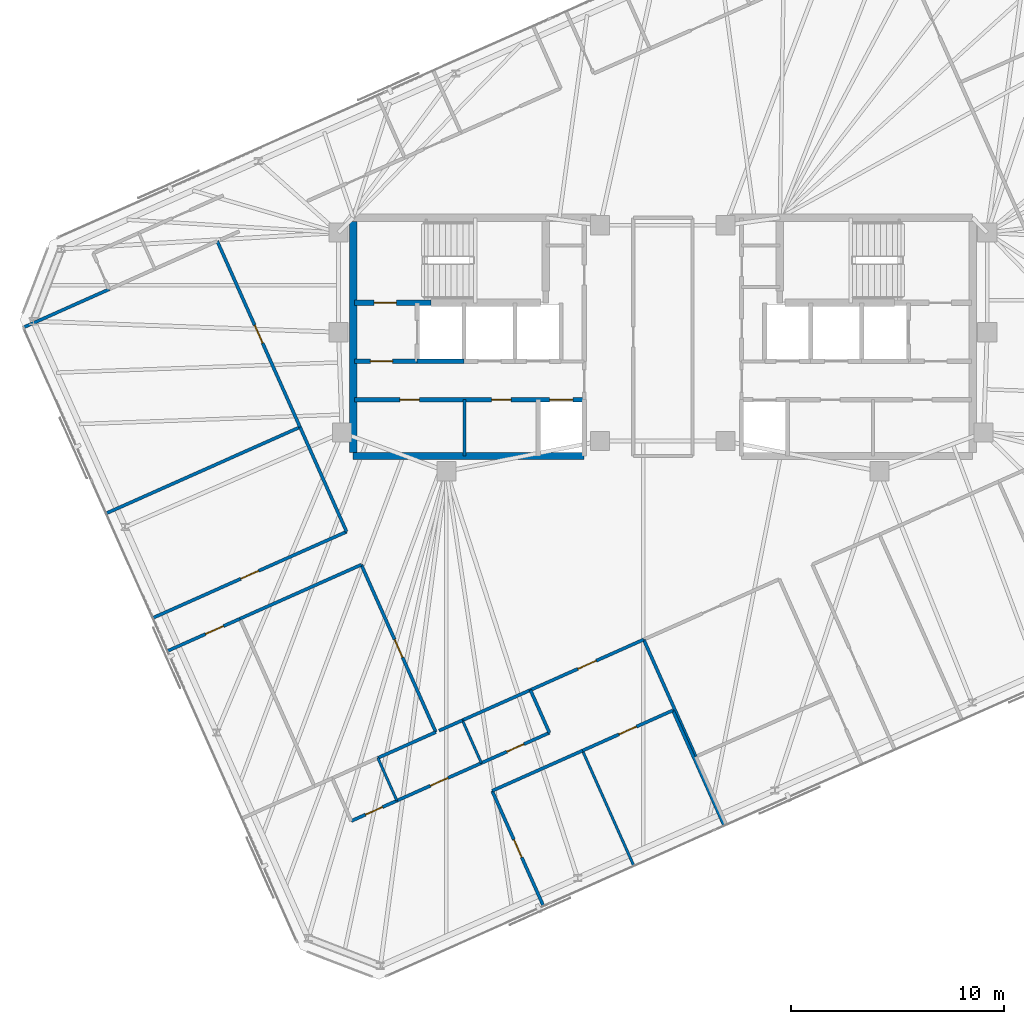
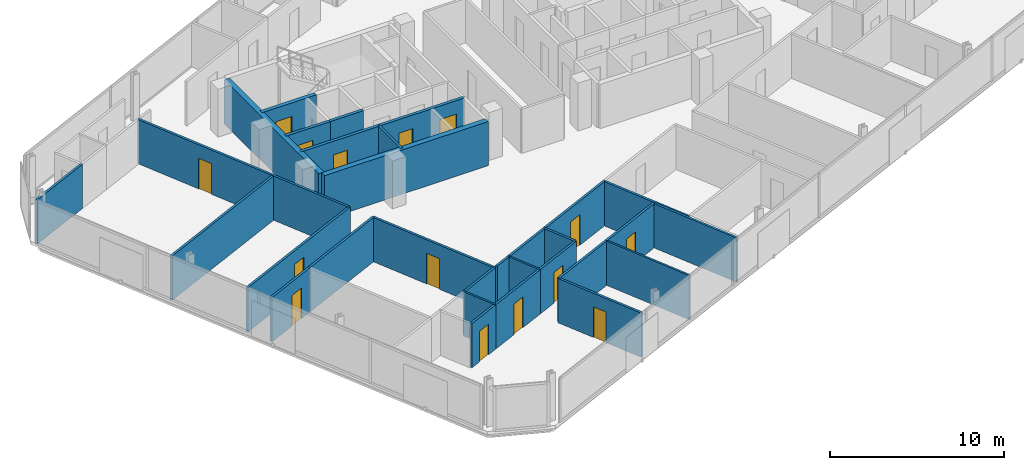
# One storey, part 13 of 18: 31 walls, 15 doors, 15 openings.
"""IFC4 building model written with IfcOpenShell, lengths in metres."""

import ifcopenshell
import ifcopenshell.guid

model = None  # the IFC model being written
_history = None  # IfcOwnerHistory: only IFC2X3 demands one
_inside = {}  # id of a spatial element -> (the spatial element, [elements in it])
_under = {}  # id of a project, library or spatial element -> (it, [spatial elements below it])
_declared = {}  # id of a project -> (the project, [libraries it declares])
_typed = {}  # id of a type object -> (the type object, [elements of that type])
_made_of = {}  # id of a material, layer set ... -> (it, [elements and type objects made of it])


def new_model(schema):
    """Start an empty IFC model of exactly this schema.

    Asked for "IFC4X3", IfcOpenShell would pick the latest addendum, in which some entities
    have other attributes; the version numbers below select the first issue.
    IFC2X3 requires an IfcOwnerHistory on every rooted entity: one is made here for all.
    """
    global model, _history
    if schema == "IFC4X3":
        model = ifcopenshell.file(schema_version=(4, 3, 0, 0))
    else:
        model = ifcopenshell.file(schema=schema)
    _inside.clear()
    _under.clear()
    _declared.clear()
    _typed.clear()
    _made_of.clear()
    _history = None
    if model.schema == "IFC2X3":
        org = make("IfcOrganization", Name="unknown")
        user = make(
            "IfcPersonAndOrganization",
            ThePerson=make("IfcPerson", FamilyName="unknown"),
            TheOrganization=org,
        )
        app = make(
            "IfcApplication",
            ApplicationDeveloper=org,
            Version="unknown",
            ApplicationFullName="unknown",
            ApplicationIdentifier="unknown",
        )
        _history = make(
            "IfcOwnerHistory",
            OwningUser=user,
            OwningApplication=app,
            ChangeAction="ADDED",
            CreationDate=0,
        )
    return model


def make(cls, **values):
    """One entity of the class cls with the attributes given. An attribute that is None is left unset."""
    return model.create_entity(
        cls, **{name: value for name, value in values.items() if value is not None}
    )


def rooted(cls, **values):
    """An entity with a GlobalId (a new one), such as an element, a storey or a relation."""
    return make(cls, GlobalId=ifcopenshell.guid.new(), OwnerHistory=_history, **values)


def si_unit(unit_type, name, prefix=None):
    """IfcSIUnit, for example si_unit("LENGTHUNIT", "METRE", prefix="MILLI")."""
    return make("IfcSIUnit", UnitType=unit_type, Prefix=prefix, Name=name)


def assignment(units):
    """IfcUnitAssignment: the units of a project."""
    return None if units is None else make("IfcUnitAssignment", Units=units)


def point(xyz):
    """IfcCartesianPoint."""
    return None if xyz is None else make("IfcCartesianPoint", Coordinates=xyz)


def direction(xyz):
    """IfcDirection."""
    return None if xyz is None else make("IfcDirection", DirectionRatios=xyz)


def frame(location, z_axis=None, x_axis=None):
    """IfcAxis2Placement3D, a coordinate frame: its origin and axes. An axis left out is left unset."""
    return make(
        "IfcAxis2Placement3D",
        Location=point(location),
        Axis=direction(z_axis),
        RefDirection=direction(x_axis),
    )


def frame_2d(location, x_axis=None):
    """IfcAxis2Placement2D, a coordinate frame in the plane: its origin and x axis."""
    return make(
        "IfcAxis2Placement2D", Location=point(location), RefDirection=direction(x_axis)
    )


def origin():
    """The frame at (0, 0, 0) with its axes left unset."""
    return frame((0.0, 0.0, 0.0))


def place(relative_to, where):
    """IfcLocalPlacement: puts the frame where relative to a parent placement (None: the world)."""
    return make(
        "IfcLocalPlacement", PlacementRelTo=relative_to, RelativePlacement=where
    )


def context(
    kind, dimensions, precision=None, world=None, true_north=None, identifier=None
):
    """IfcGeometricRepresentationContext, for example the 3D "Model" context."""
    return make(
        "IfcGeometricRepresentationContext",
        ContextIdentifier=identifier,
        ContextType=kind,
        CoordinateSpaceDimension=dimensions,
        Precision=precision,
        WorldCoordinateSystem=world,
        TrueNorth=true_north,
    )


def subcontext(parent, identifier, kind, view, scale=None):
    """IfcGeometricRepresentationSubContext, for example "Body" below "Model"."""
    return make(
        "IfcGeometricRepresentationSubContext",
        ContextIdentifier=identifier,
        ContextType=kind,
        ParentContext=parent,
        TargetScale=scale,
        TargetView=view,
    )


def project(units=None, contexts=None):
    """IfcProject with its units and contexts."""
    return rooted(
        "IfcProject",
        Name="project",
        RepresentationContexts=contexts,
        UnitsInContext=assignment(units),
    )


def spatial(cls, under=None, at=None, **own):
    """A site, building, storey or space (cls), placed at a placement, below another one or the project."""
    s = rooted(cls, ObjectPlacement=at, **own)
    if under is not None:
        _under.setdefault(under.id(), (under, []))[1].append(s)
    return s


def profile(cls, at=None, kind="AREA", **sizes):
    """A parametric profile (cls). Its sizes go by their IFC names, for example OverallWidth=200.0."""
    return make(cls, ProfileType=kind, Position=at, **sizes)


def rectangle(**sizes):
    """IfcRectangleProfileDef."""
    return profile("IfcRectangleProfileDef", **sizes)


def extrude(swept, where, along, depth):
    """IfcExtrudedAreaSolid: the profile swept, set in the frame where, extruded along a direction by depth."""
    return make(
        "IfcExtrudedAreaSolid",
        SweptArea=swept,
        Position=where,
        ExtrudedDirection=direction(along),
        Depth=depth,
    )


def shape(context_of_items, identifier, shape_type, items):
    """IfcShapeRepresentation: the items that make up one representation, for example the "Body"."""
    return make(
        "IfcShapeRepresentation",
        ContextOfItems=context_of_items,
        RepresentationIdentifier=identifier,
        RepresentationType=shape_type,
        Items=items,
    )


def material(Name=None, Category=None):
    """IfcMaterial."""
    return make("IfcMaterial", Name=Name, Category=Category)


def layer(
    of_material, thickness, ventilated=None, Name=None, Category=None, Priority=None
):
    """IfcMaterialLayer: one layer of a wall or slab, of a material (None: an air gap)."""
    return make(
        "IfcMaterialLayer",
        Material=of_material,
        LayerThickness=thickness,
        IsVentilated=ventilated,
        Name=Name,
        Category=Category,
        Priority=Priority,
    )


def layer_set(layers, Name=None):
    """IfcMaterialLayerSet."""
    return make("IfcMaterialLayerSet", MaterialLayers=layers, LayerSetName=Name)


def made_of(thing, what):
    """Note that an element or type object is made of a material, layer set ...; save() writes the relation."""
    if what is not None:
        _made_of.setdefault(what.id(), (what, []))[1].append(thing)
    return thing


def type_object(cls, material=None, **own):
    """A type object (cls), such as IfcWallType, which elements share."""
    return made_of(rooted(cls, **own), material)


def element(
    cls,
    number,
    at=None,
    inside=None,
    cuts=None,
    type_object=None,
    material=None,
    context=None,
    identifier="Body",
    shape_type=None,
    held_by="IfcProductDefinitionShape",
    body=None,
    shapes=None,
    **own,
):
    """One element of the class cls, such as IfcWall. Its Tag is "e" and its number.

    at: its placement. inside: the storey or other place that contains it. cuts: it is an
    opening in that element (IfcRelVoidsElement). A single representation is given by context,
    identifier, shape_type and body (its items); several are given by shapes. held_by: the class
    of the entity that holds the representations. save() writes the other relations.
    """
    e = rooted(cls, Tag="e%d" % number, ObjectPlacement=at, **own)
    if body is not None:
        shapes = [shape(context, identifier, shape_type, body)]
    if shapes is not None:
        e.Representation = make(held_by, Representations=shapes)
    if inside is not None:
        _inside.setdefault(inside.id(), (inside, []))[1].append(e)
    if cuts is not None:
        rooted(
            "IfcRelVoidsElement", RelatingBuildingElement=cuts, RelatedOpeningElement=e
        )
    if type_object is not None:
        _typed.setdefault(type_object.id(), (type_object, []))[1].append(e)
    return made_of(e, material)


def fill(opening, filler):
    """IfcRelFillsElement: the door or window that sits in an opening."""
    return rooted(
        "IfcRelFillsElement",
        RelatingOpeningElement=opening,
        RelatedBuildingElement=filler,
    )


def aggregate(whole, parts):
    """IfcRelAggregates: a whole, such as a stair, and the parts it consists of."""
    return rooted("IfcRelAggregates", RelatingObject=whole, RelatedObjects=parts)


def save(model, path):
    """Write the relations noted so far, then the file.

    IfcRelAggregates (storeys below a building ...), IfcRelContainedInSpatialStructure (elements
    in a storey), IfcRelDefinesByType, IfcRelAssociatesMaterial and IfcRelDeclares: one each for
    every whole, place, type object, material and project.
    """
    for whole, parts in _under.values():
        aggregate(whole, parts)
    for where, things in _inside.values():
        rooted(
            "IfcRelContainedInSpatialStructure",
            RelatedElements=things,
            RelatingStructure=where,
        )
    for kind, things in _typed.values():
        rooted("IfcRelDefinesByType", RelatedObjects=things, RelatingType=kind)
    for what, things in _made_of.values():
        rooted("IfcRelAssociatesMaterial", RelatedObjects=things, RelatingMaterial=what)
    for by, libraries in _declared.values():
        rooted("IfcRelDeclares", RelatingContext=by, RelatedDefinitions=libraries)
    model.write(path)


model = new_model("IFC4")

# Units and contexts
model_context = context("Model", 3, precision=1e-05, world=origin(), true_north=direction((0.0, 1.0)))
body_context = subcontext(model_context, "Body", "Model", "MODEL_VIEW")
ifc_project = project(units=[si_unit("LENGTHUNIT", "METRE"), si_unit("AREAUNIT", "SQUARE_METRE"), si_unit("VOLUMEUNIT", "CUBIC_METRE"), si_unit("PLANEANGLEUNIT", "RADIAN"), si_unit("MASSUNIT", "GRAM", prefix="KILO")], contexts=[model_context])

# Site, building, storey
site_placement = place(None, origin())
site = spatial("IfcSite", under=ifc_project, at=site_placement, CompositionType="ELEMENT")
building_placement = place(site_placement, origin())
building = spatial("IfcBuilding", under=site, at=building_placement, Name="Menara Jurai Vektor", CompositionType="ELEMENT")
storey_placement = place(building_placement, frame((0.0, 0.0, 272.25)))
storey = spatial("IfcBuildingStorey", under=building, at=storey_placement, Name="L73", CompositionType="ELEMENT", Elevation=272.25)

# Wall, opening, door
ifc_material_1 = material(Name="Concrete C40/50", Category="concrete")
ifc_layer_1 = layer(ifc_material_1, 0.25)
ifc_layer_set_1 = layer_set([ifc_layer_1], Name="Concrete C40/50")
wall_type_1 = type_object("IfcWallType", Name="INT-WALL-CORE-250", PredefinedType="STANDARD", material=ifc_layer_set_1)
wall_1_placement = place(storey_placement, frame((-14.5, 1.60009765625, 0.0), z_axis=(0.0, 0.0, 1.0), x_axis=(1.0, 0.0, 0.0)))
wall_1 = element("IfcWall", 1, at=wall_1_placement, inside=storey, type_object=wall_type_1, Name="Interior Wall IW-250 L73", PredefinedType="STANDARD", context=body_context, shape_type="SweptSolid", body=[
    extrude(rectangle(XDim=3.60009765625, YDim=0.25, at=frame_2d((1.800048828125, 0.0))), origin(), (0.0, 0.0, 1.0), 3.10009765625),
])
opening_1_placement = place(wall_1_placement, frame((0.919921875, 0.0, 0.0)))
opening_1 = element("IfcOpeningElement", 2, at=opening_1_placement, cuts=wall_1, Name="Opening D-L73-ST1", PredefinedType="OPENING", context=body_context, shape_type="SweptSolid", body=[
    extrude(rectangle(XDim=1.050048828125, YDim=2.14990234375, at=frame_2d((0.52490234375, 1.074951171875))), frame((0.0, 0.135009765625, 0.0), z_axis=(0.0, -1.0, 0.0), x_axis=(1.0, 0.0, 0.0)), (0.0, 0.0, 1.0), 0.27001953125),
])
ifc_material_2 = material(Name="Fire-Rated Steel Door", Category="steel")
door_type_1 = type_object("IfcDoorType", Name="DR-STAIR-1050", OperationType="NOTDEFINED", PredefinedType="DOOR", material=ifc_material_2)
door_1_placement = place(opening_1_placement, origin())
door_1 = element("IfcDoor", 3, at=door_1_placement, inside=storey, type_object=door_type_1, Name="Exit Stair ST1 Door L73", OperationType="SINGLE_SWING_RIGHT", OverallHeight=2.14990234375, OverallWidth=1.050048828125, PredefinedType="DOOR", context=body_context, shape_type="SweptSolid", body=[
    extrude(rectangle(XDim=1.050048828125, YDim=2.14990234375, at=frame_2d((0.52490234375, 1.074951171875))), frame((0.0, 0.02490234375, 0.0), z_axis=(0.0, -1.0, 0.0), x_axis=(1.0, 0.0, 0.0)), (0.0, 0.0, 1.0), 0.050048828125),
])
fill(opening_1, door_1)

wall_2_placement = place(storey_placement, frame((-14.5, -1.14990234375, 0.0), z_axis=(0.0, 0.0, 1.0), x_axis=(1.0, 0.0, 0.0)))
wall_2 = element("IfcWall", 4, at=wall_2_placement, inside=storey, type_object=wall_type_1, Name="Interior Wall IW-250 L73", PredefinedType="STANDARD", context=body_context, shape_type="SweptSolid", body=[
    extrude(rectangle(XDim=2.949951171875, YDim=0.199951171875, at=frame_2d((1.47509765625, 0.0))), origin(), (0.0, 0.0, 1.0), 3.10009765625),
])
opening_2_placement = place(wall_2_placement, frame((0.75, 0.0, 0.0)))
opening_2 = element("IfcOpeningElement", 5, at=opening_2_placement, cuts=wall_2, Name="Opening D-L73-FFW", PredefinedType="OPENING", context=body_context, shape_type="SweptSolid", body=[
    extrude(rectangle(XDim=1.050048828125, YDim=2.179931640625, at=frame_2d((0.52490234375, 1.08984375))), frame((0.0, 0.10986328125, 0.0), z_axis=(0.0, -1.0, 0.0), x_axis=(1.0, 0.0, 0.0)), (0.0, 0.0, 1.0), 0.219970703125),
])
ifc_material_3 = material(Name="Fire-Rated Timber Door", Category="wood")
door_type_2 = type_object("IfcDoorType", Name="DR-LOBBY-1050", OperationType="NOTDEFINED", PredefinedType="DOOR", material=ifc_material_3)
door_2_placement = place(opening_2_placement, origin())
door_2 = element("IfcDoor", 6, at=door_2_placement, inside=storey, type_object=door_type_2, Name="Fire Lift Lobby Door W L73", OperationType="SINGLE_SWING_RIGHT", OverallHeight=2.179931640625, OverallWidth=1.050048828125, PredefinedType="DOOR", context=body_context, shape_type="SweptSolid", body=[
    extrude(rectangle(XDim=1.050048828125, YDim=2.179931640625, at=frame_2d((0.52490234375, 1.08984375))), frame((0.0, 0.02490234375, 0.0), z_axis=(0.0, -1.0, 0.0), x_axis=(1.0, 0.0, 0.0)), (0.0, 0.0, 1.0), 0.050048828125),
])
fill(opening_2, door_2)

# Walls
wall_3_placement = place(storey_placement, frame((-11.550048828125, -1.14990234375, 0.0), z_axis=(0.0, 0.0, 1.0), x_axis=(1.0, 0.0, 0.0)))
element("IfcWall", 7, at=wall_3_placement, inside=storey, type_object=wall_type_1, Name="Interior Wall IW-250 L73", PredefinedType="STANDARD", context=body_context, shape_type="SweptSolid", body=[
    extrude(rectangle(XDim=2.199951171875, YDim=0.199951171875, at=frame_2d((1.10009765625, 0.0))), origin(), (0.0, 0.0, 1.0), 3.10009765625),
])
ifc_material_4 = material(Name="Gypsum Fireboard Partition", Category="gypsum")
ifc_layer_2 = layer(ifc_material_4, 0.14990234375)
ifc_layer_set_2 = layer_set([ifc_layer_2], Name="Gypsum Fireboard Partition")
wall_type_2 = type_object("IfcWallType", Name="INT-WALL-CORR-150", PredefinedType="PARTITIONING", material=ifc_layer_set_2)
wall_4_placement = place(storey_placement, frame((-9.320068359375, -5.60009765625, 0.0), z_axis=(0.0, 0.0, 1.0), x_axis=(0.0, 1.0, 0.0)))
element("IfcWall", 8, at=wall_4_placement, inside=storey, type_object=wall_type_2, Name="Interior Wall IW-150 L73", PredefinedType="PARTITIONING", context=body_context, shape_type="SweptSolid", body=[
    extrude(rectangle(XDim=2.650146484375, YDim=0.14990234375, at=frame_2d((1.3251953125, 0.0))), origin(), (0.0, 0.0, 1.0), 3.10009765625),
])

# Wall, opening, door
wall_5_placement = place(storey_placement, frame((-6.228515625, -16.602294921875, 0.0), z_axis=(0.0, 0.0, 1.0), x_axis=(0.913550563391, 0.406725175183, 0.0)))
wall_5 = element("IfcWall", 9, at=wall_5_placement, inside=storey, type_object=wall_type_2, Name="Interior Wall IW-150 L73", PredefinedType="PARTITIONING", context=body_context, shape_type="SweptSolid", body=[
    extrude(rectangle(XDim=5.8291015625, YDim=0.14990234375, at=frame_2d((2.91455078125, 0.0))), origin(), (0.0, 0.0, 1.0), 3.10009765625),
])
opening_3_placement = place(wall_5_placement, frame((2.439453125, 0.0, 0.0)))
opening_3 = element("IfcOpeningElement", 10, at=opening_3_placement, cuts=wall_5, Name="Opening D73-15", PredefinedType="OPENING", context=body_context, shape_type="SweptSolid", body=[
    extrude(rectangle(XDim=0.949951171875, YDim=2.14990234375, at=frame_2d((0.47509765625, 1.074951171875))), frame((0.0, 0.0849609375, 0.0), z_axis=(0.0, -1.0, 0.0), x_axis=(1.0, 0.0, 0.0)), (0.0, 0.0, 1.0), 0.169921875),
])
ifc_material_5 = material(Name="Solid Core Timber Fire Door", Category="wood")
door_type_3 = type_object("IfcDoorType", Name="DR-ENTRY-950", OperationType="NOTDEFINED", PredefinedType="DOOR", material=ifc_material_5)
door_3_placement = place(opening_3_placement, origin())
door_3 = element("IfcDoor", 11, at=door_3_placement, inside=storey, type_object=door_type_3, Name="Interior Door D73-15", OperationType="SINGLE_SWING_RIGHT", OverallHeight=2.14990234375, OverallWidth=0.949951171875, PredefinedType="DOOR", context=body_context, shape_type="SweptSolid", body=[
    extrude(rectangle(XDim=0.949951171875, YDim=2.14990234375, at=frame_2d((0.47509765625, 1.074951171875))), frame((0.0, 0.02490234375, 0.0), z_axis=(0.0, -1.0, 0.0), x_axis=(1.0, 0.0, 0.0)), (0.0, 0.0, 1.0), 0.050048828125),
])
fill(opening_3, door_3)

# Walls
wall_6_placement = place(storey_placement, frame((-10.52294921875, -18.514404296875, 0.0), z_axis=(0.0, 0.0, 1.0), x_axis=(0.913534709899, 0.406760782045, 0.0)))
element("IfcWall", 12, at=wall_6_placement, inside=storey, type_object=wall_type_2, Name="Interior Wall IW-150 L73", PredefinedType="PARTITIONING", context=body_context, shape_type="SweptSolid", body=[
    extrude(rectangle(XDim=1.200927734375, YDim=0.14990234375, at=frame_2d((0.6005859375, 0.0))), origin(), (0.0, 0.0, 1.0), 3.10009765625),
])
wall_7_placement = place(storey_placement, frame((-9.42578125, -18.02587890625, 0.0), z_axis=(0.0, 0.0, 1.0), x_axis=(0.913538066796, 0.406753242783, 0.0)))
element("IfcWall", 13, at=wall_7_placement, inside=storey, type_object=wall_type_2, Name="Interior Wall IW-150 L73", PredefinedType="PARTITIONING", context=body_context, shape_type="SweptSolid", body=[
    extrude(rectangle(XDim=3.499755859375, YDim=0.14990234375, at=frame_2d((1.75, 0.0))), origin(), (0.0, 0.0, 1.0), 3.10009765625),
])

# Wall, opening, door
wall_8_placement = place(storey_placement, frame((-23.290283203125, -14.7685546875, 0.0), z_axis=(0.0, 0.0, 1.0), x_axis=(0.913549333679, 0.406727937244, 0.0)))
wall_8 = element("IfcWall", 14, at=wall_8_placement, inside=storey, type_object=wall_type_2, Name="Interior Wall IW-150 L73", PredefinedType="PARTITIONING", context=body_context, shape_type="SweptSolid", body=[
    extrude(rectangle(XDim=3.72705078125, YDim=0.14990234375, at=frame_2d((1.863525390625, 0.0))), origin(), (0.0, 0.0, 1.0), 3.10009765625),
])
opening_4_placement = place(wall_8_placement, frame((1.962646484375, 0.0, 0.0)))
opening_4 = element("IfcOpeningElement", 15, at=opening_4_placement, cuts=wall_8, Name="Opening D73-26", PredefinedType="OPENING", context=body_context, shape_type="SweptSolid", body=[
    extrude(rectangle(XDim=0.919921875, YDim=2.14990234375, at=frame_2d((0.4599609375, 1.074951171875))), frame((0.0, 0.0849609375, 0.0), z_axis=(0.0, -1.0, 0.0), x_axis=(1.0, 0.0, 0.0)), (0.0, 0.0, 1.0), 0.169921875),
])
door_4_placement = place(opening_4_placement, origin())
door_4 = element("IfcDoor", 16, at=door_4_placement, inside=storey, type_object=door_type_3, Name="Interior Door D73-26", OperationType="SINGLE_SWING_LEFT", OverallHeight=2.14990234375, OverallWidth=0.919921875, PredefinedType="DOOR", context=body_context, shape_type="SweptSolid", body=[
    extrude(rectangle(XDim=0.919921875, YDim=2.14990234375, at=frame_2d((0.4599609375, 1.074951171875))), frame((0.0, 0.02490234375, 0.0), z_axis=(0.0, -1.0, 0.0), x_axis=(1.0, 0.0, 0.0)), (0.0, 0.0, 1.0), 0.050048828125),
])
fill(opening_4, door_4)

# Wall
wall_9_placement = place(storey_placement, frame((-19.885498046875, -13.252685546875, 0.0), z_axis=(0.0, 0.0, 1.0), x_axis=(0.913534137923, 0.406762066631, 0.0)))
element("IfcWall", 17, at=wall_9_placement, inside=storey, type_object=wall_type_2, Name="Interior Wall IW-150 L73", PredefinedType="PARTITIONING", context=body_context, shape_type="SweptSolid", body=[
    extrude(rectangle(XDim=6.246826171875, YDim=0.14990234375, at=frame_2d((3.12353515625, 0.0))), origin(), (0.0, 0.0, 1.0), 3.10009765625),
])

# Wall, opening, door
wall_10_placement = place(storey_placement, frame((-10.674560546875, -18.581787109375, 0.0), z_axis=(0.0, 0.0, 1.0), x_axis=(-0.406751025101, 0.913539054217, 0.0)))
wall_10 = element("IfcWall", 18, at=wall_10_placement, inside=storey, type_object=wall_type_2, Name="Interior Wall IW-150 L73", PredefinedType="PARTITIONING", context=body_context, shape_type="SweptSolid", body=[
    extrude(rectangle(XDim=8.614990234375, YDim=0.14990234375, at=frame_2d((4.3076171875, 0.0))), origin(), (0.0, 0.0, 1.0), 3.10009765625),
])
opening_5_placement = place(wall_10_placement, frame((3.847412109375, 0.0, 0.0)))
opening_5 = element("IfcOpeningElement", 19, at=opening_5_placement, cuts=wall_10, Name="Opening D73-27", PredefinedType="OPENING", context=body_context, shape_type="SweptSolid", body=[
    extrude(rectangle(XDim=0.919921875, YDim=2.14990234375, at=frame_2d((0.4599609375, 1.074951171875))), frame((0.0, 0.0849609375, 0.0), z_axis=(0.0, -1.0, 0.0), x_axis=(1.0, 0.0, 0.0)), (0.0, 0.0, 1.0), 0.169921875),
])
door_5_placement = place(opening_5_placement, origin())
door_5 = element("IfcDoor", 20, at=door_5_placement, inside=storey, type_object=door_type_3, Name="Interior Door D73-27", OperationType="SINGLE_SWING_RIGHT", OverallHeight=2.14990234375, OverallWidth=0.919921875, PredefinedType="DOOR", context=body_context, shape_type="SweptSolid", body=[
    extrude(rectangle(XDim=0.919921875, YDim=2.14990234375, at=frame_2d((0.4599609375, 1.074951171875))), frame((0.0, 0.02490234375, 0.0), z_axis=(0.0, -1.0, 0.0), x_axis=(1.0, 0.0, 0.0)), (0.0, 0.0, 1.0), 0.050048828125),
])
fill(opening_5, door_5)

wall_11_placement = place(storey_placement, frame((-23.981689453125, -13.215576171875, 0.0), z_axis=(0.0, 0.0, 1.0), x_axis=(0.913539816318, 0.406749313463, 0.0)))
wall_11 = element("IfcWall", 21, at=wall_11_placement, inside=storey, type_object=wall_type_2, Name="Interior Wall IW-150 L73", PredefinedType="PARTITIONING", context=body_context, shape_type="SweptSolid", body=[
    extrude(rectangle(XDim=9.973876953125, YDim=0.14990234375, at=frame_2d((4.98681640625, 0.0))), origin(), (0.0, 0.0, 1.0), 3.10009765625),
])
opening_6_placement = place(wall_11_placement, frame((4.527099609375, 0.0, 0.0)))
opening_6 = element("IfcOpeningElement", 22, at=opening_6_placement, cuts=wall_11, Name="Opening D73-28", PredefinedType="OPENING", context=body_context, shape_type="SweptSolid", body=[
    extrude(rectangle(XDim=0.919921875, YDim=2.14990234375, at=frame_2d((0.4599609375, 1.074951171875))), frame((0.0, 0.0849609375, 0.0), z_axis=(0.0, -1.0, 0.0), x_axis=(1.0, 0.0, 0.0)), (0.0, 0.0, 1.0), 0.169921875),
])
door_6_placement = place(opening_6_placement, origin())
door_6 = element("IfcDoor", 23, at=door_6_placement, inside=storey, type_object=door_type_3, Name="Interior Door D73-28", OperationType="SINGLE_SWING_LEFT", OverallHeight=2.14990234375, OverallWidth=0.919921875, PredefinedType="DOOR", context=body_context, shape_type="SweptSolid", body=[
    extrude(rectangle(XDim=0.919921875, YDim=2.14990234375, at=frame_2d((0.4599609375, 1.074951171875))), frame((0.0, 0.02490234375, 0.0), z_axis=(0.0, -1.0, 0.0), x_axis=(1.0, 0.0, 0.0)), (0.0, 0.0, 1.0), 0.050048828125),
])
fill(opening_6, door_6)

# Wall
wall_12_placement = place(storey_placement, frame((-14.8701171875, -9.15869140625, 0.0), z_axis=(0.0, 0.0, 1.0), x_axis=(-0.40674435803, 0.913542022685, 0.0)))
element("IfcWall", 24, at=wall_12_placement, inside=storey, type_object=wall_type_2, Name="Interior Wall IW-150 L73", PredefinedType="PARTITIONING", context=body_context, shape_type="SweptSolid", body=[
    extrude(rectangle(XDim=5.3828125, YDim=0.14990234375, at=frame_2d((2.69140625, 0.0))), origin(), (0.0, 0.0, 1.0), 3.10009765625),
])

# Wall, opening, door
wall_13_placement = place(storey_placement, frame((-17.0595703125, -4.2412109375, 0.0), z_axis=(0.0, 0.0, 1.0), x_axis=(-0.406739660141, 0.913544114353, 0.0)))
wall_13 = element("IfcWall", 25, at=wall_13_placement, inside=storey, type_object=wall_type_2, Name="Interior Wall IW-150 L73", PredefinedType="PARTITIONING", context=body_context, shape_type="SweptSolid", body=[
    extrude(rectangle(XDim=9.569091796875, YDim=0.14990234375, at=frame_2d((4.78466796875, 0.0))), origin(), (0.0, 0.0, 1.0), 3.10009765625),
])
opening_7_placement = place(wall_13_placement, frame((4.324462890625, 0.0, 0.0)))
opening_7 = element("IfcOpeningElement", 26, at=opening_7_placement, cuts=wall_13, Name="Opening D73-29", PredefinedType="OPENING", context=body_context, shape_type="SweptSolid", body=[
    extrude(rectangle(XDim=0.919921875, YDim=2.14990234375, at=frame_2d((0.4599609375, 1.074951171875))), frame((0.0, 0.0849609375, 0.0), z_axis=(0.0, -1.0, 0.0), x_axis=(1.0, 0.0, 0.0)), (0.0, 0.0, 1.0), 0.169921875),
])
door_7_placement = place(opening_7_placement, origin())
door_7 = element("IfcDoor", 27, at=door_7_placement, inside=storey, type_object=door_type_3, Name="Interior Door D73-29", OperationType="SINGLE_SWING_RIGHT", OverallHeight=2.14990234375, OverallWidth=0.919921875, PredefinedType="DOOR", context=body_context, shape_type="SweptSolid", body=[
    extrude(rectangle(XDim=0.919921875, YDim=2.14990234375, at=frame_2d((0.4599609375, 1.074951171875))), frame((0.0, 0.02490234375, 0.0), z_axis=(0.0, -1.0, 0.0), x_axis=(1.0, 0.0, 0.0)), (0.0, 0.0, 1.0), 0.050048828125),
])
fill(opening_7, door_7)

# Wall
wall_14_placement = place(storey_placement, frame((-30.063232421875, 0.44384765625, 0.0), z_axis=(0.0, 0.0, 1.0), x_axis=(0.91353516298, 0.40675976448, 0.0)))
element("IfcWall", 28, at=wall_14_placement, inside=storey, type_object=wall_type_2, Name="Interior Wall IW-150 L73", PredefinedType="PARTITIONING", context=body_context, shape_type="SweptSolid", body=[
    extrude(rectangle(XDim=4.410888671875, YDim=0.14990234375, at=frame_2d((2.20556640625, 0.0))), origin(), (0.0, 0.0, 1.0), 3.10009765625),
])

# Wall, opening, door
wall_15_placement = place(storey_placement, frame((-14.651611328125, -22.7607421875, 0.0), z_axis=(0.0, 0.0, 1.0), x_axis=(0.913541436194, 0.406745675276, 0.0)))
wall_15 = element("IfcWall", 29, at=wall_15_placement, inside=storey, type_object=wall_type_2, Name="Interior Wall IW-150 L73", PredefinedType="PARTITIONING", context=body_context, shape_type="SweptSolid", body=[
    extrude(rectangle(XDim=2.349853515625, YDim=0.14990234375, at=frame_2d((1.1748046875, 0.0))), origin(), (0.0, 0.0, 1.0), 3.10009765625),
])
opening_8_placement = place(wall_15_placement, frame((0.735107421875, 0.0, 0.0)))
opening_8 = element("IfcOpeningElement", 30, at=opening_8_placement, cuts=wall_15, Name="Opening D73-16", PredefinedType="OPENING", context=body_context, shape_type="SweptSolid", body=[
    extrude(rectangle(XDim=0.8798828125, YDim=2.14990234375, at=frame_2d((0.43994140625, 1.074951171875))), frame((0.0, 0.0849609375, 0.0), z_axis=(0.0, -1.0, 0.0), x_axis=(1.0, 0.0, 0.0)), (0.0, 0.0, 1.0), 0.169921875),
])
ifc_material_6 = material(Name="Moisture-Resistant Timber Door", Category="wood")
door_type_4 = type_object("IfcDoorType", Name="DR-BATH-880", OperationType="NOTDEFINED", PredefinedType="DOOR", material=ifc_material_6)
door_8_placement = place(opening_8_placement, origin())
door_8 = element("IfcDoor", 31, at=door_8_placement, inside=storey, type_object=door_type_4, Name="Interior Door D73-16", OperationType="SINGLE_SWING_LEFT", OverallHeight=2.14990234375, OverallWidth=0.8798828125, PredefinedType="DOOR", context=body_context, shape_type="SweptSolid", body=[
    extrude(rectangle(XDim=0.8798828125, YDim=2.14990234375, at=frame_2d((0.43994140625, 1.074951171875))), frame((0.0, 0.02490234375, 0.0), z_axis=(0.0, -1.0, 0.0), x_axis=(1.0, 0.0, 0.0)), (0.0, 0.0, 1.0), 0.050048828125),
])
fill(opening_8, door_8)

wall_16_placement = place(storey_placement, frame((-12.5048828125, -21.804931640625, 0.0), z_axis=(0.0, 0.0, 1.0), x_axis=(0.913545193015, 0.406737237438, 0.0)))
wall_16 = element("IfcWall", 32, at=wall_16_placement, inside=storey, type_object=wall_type_2, Name="Interior Wall IW-150 L73", PredefinedType="PARTITIONING", context=body_context, shape_type="SweptSolid", body=[
    extrude(rectangle(XDim=4.349853515625, YDim=0.14990234375, at=frame_2d((2.1748046875, 0.0))), origin(), (0.0, 0.0, 1.0), 3.10009765625),
])
opening_9_placement = place(wall_16_placement, frame((1.72509765625, 0.0, 0.0)))
opening_9 = element("IfcOpeningElement", 33, at=opening_9_placement, cuts=wall_16, Name="Opening D73-17", PredefinedType="OPENING", context=body_context, shape_type="SweptSolid", body=[
    extrude(rectangle(XDim=0.89990234375, YDim=2.14990234375, at=frame_2d((0.449951171875, 1.074951171875))), frame((0.0, 0.0849609375, 0.0), z_axis=(0.0, -1.0, 0.0), x_axis=(1.0, 0.0, 0.0)), (0.0, 0.0, 1.0), 0.169921875),
])
ifc_material_7 = material(Name="Acoustic Timber Interior Door", Category="wood")
door_type_5 = type_object("IfcDoorType", Name="DR-ROOM-900", OperationType="NOTDEFINED", PredefinedType="DOOR", material=ifc_material_7)
door_9_placement = place(opening_9_placement, origin())
door_9 = element("IfcDoor", 34, at=door_9_placement, inside=storey, type_object=door_type_5, Name="Interior Door D73-17", OperationType="SINGLE_SWING_RIGHT", OverallHeight=2.14990234375, OverallWidth=0.89990234375, PredefinedType="DOOR", context=body_context, shape_type="SweptSolid", body=[
    extrude(rectangle(XDim=0.89990234375, YDim=2.14990234375, at=frame_2d((0.449951171875, 1.074951171875))), frame((0.0, 0.02490234375, 0.0), z_axis=(0.0, -1.0, 0.0), x_axis=(1.0, 0.0, 0.0)), (0.0, 0.0, 1.0), 0.050048828125),
])
fill(opening_9, door_9)

wall_17_placement = place(storey_placement, frame((-8.531005859375, -20.03564453125, 0.0), z_axis=(0.0, 0.0, 1.0), x_axis=(0.913549606868, 0.406727323635, 0.0)))
wall_17 = element("IfcWall", 35, at=wall_17_placement, inside=storey, type_object=wall_type_2, Name="Interior Wall IW-150 L73", PredefinedType="PARTITIONING", context=body_context, shape_type="SweptSolid", body=[
    extrude(rectangle(XDim=3.5, YDim=0.14990234375, at=frame_2d((1.75, 0.0))), origin(), (0.0, 0.0, 1.0), 3.10009765625),
])
opening_10_placement = place(wall_17_placement, frame((1.31005859375, 0.0, 0.0)))
opening_10 = element("IfcOpeningElement", 36, at=opening_10_placement, cuts=wall_17, Name="Opening D73-18", PredefinedType="OPENING", context=body_context, shape_type="SweptSolid", body=[
    extrude(rectangle(XDim=0.8798828125, YDim=2.14990234375, at=frame_2d((0.43994140625, 1.074951171875))), frame((0.0, 0.0849609375, 0.0), z_axis=(0.0, -1.0, 0.0), x_axis=(1.0, 0.0, 0.0)), (0.0, 0.0, 1.0), 0.169921875),
])
door_10_placement = place(opening_10_placement, origin())
door_10 = element("IfcDoor", 37, at=door_10_placement, inside=storey, type_object=door_type_4, Name="Interior Door D73-18", OperationType="SINGLE_SWING_LEFT", OverallHeight=2.14990234375, OverallWidth=0.8798828125, PredefinedType="DOOR", context=body_context, shape_type="SweptSolid", body=[
    extrude(rectangle(XDim=0.8798828125, YDim=2.14990234375, at=frame_2d((0.43994140625, 1.074951171875))), frame((0.0, 0.02490234375, 0.0), z_axis=(0.0, -1.0, 0.0), x_axis=(1.0, 0.0, 0.0)), (0.0, 0.0, 1.0), 0.050048828125),
])
fill(opening_10, door_10)

# Wall
wall_18_placement = place(storey_placement, frame((-5.33349609375, -18.612060546875, 0.0), z_axis=(0.0, 0.0, 1.0), x_axis=(-0.406817905151, 0.913509273105, 0.0)))
element("IfcWall", 38, at=wall_18_placement, inside=storey, type_object=wall_type_2, Name="Interior Wall IW-150 L73", PredefinedType="PARTITIONING", context=body_context, shape_type="SweptSolid", body=[
    extrude(rectangle(XDim=2.199951171875, YDim=0.14990234375, at=frame_2d((1.10009765625, 0.0))), origin(), (0.0, 0.0, 1.0), 3.10009765625),
])

# Wall, opening, door
wall_19_placement = place(storey_placement, frame((-5.6123046875, -26.765380859375, 0.0), z_axis=(0.0, 0.0, 1.0), x_axis=(-0.406749048544, 0.913539934271, 0.0)))
wall_19 = element("IfcWall", 39, at=wall_19_placement, inside=storey, type_object=wall_type_2, Name="Interior Wall IW-150 L73", PredefinedType="PARTITIONING", context=body_context, shape_type="SweptSolid", body=[
    extrude(rectangle(XDim=5.93505859375, YDim=0.14990234375, at=frame_2d((2.967529296875, 0.0))), origin(), (0.0, 0.0, 1.0), 3.10009765625),
])
opening_11_placement = place(wall_19_placement, frame((2.517578125, 0.0, 0.0)))
opening_11 = element("IfcOpeningElement", 40, at=opening_11_placement, cuts=wall_19, Name="Opening D73-19", PredefinedType="OPENING", context=body_context, shape_type="SweptSolid", body=[
    extrude(rectangle(XDim=0.89990234375, YDim=2.14990234375, at=frame_2d((0.449951171875, 1.074951171875))), frame((0.0, 0.0849609375, 0.0), z_axis=(0.0, -1.0, 0.0), x_axis=(1.0, 0.0, 0.0)), (0.0, 0.0, 1.0), 0.169921875),
])
door_11_placement = place(opening_11_placement, origin())
door_11 = element("IfcDoor", 41, at=door_11_placement, inside=storey, type_object=door_type_5, Name="Interior Door D73-19", OperationType="SINGLE_SWING_RIGHT", OverallHeight=2.14990234375, OverallWidth=0.89990234375, PredefinedType="DOOR", context=body_context, shape_type="SweptSolid", body=[
    extrude(rectangle(XDim=0.89990234375, YDim=2.14990234375, at=frame_2d((0.449951171875, 1.074951171875))), frame((0.0, 0.02490234375, 0.0), z_axis=(0.0, -1.0, 0.0), x_axis=(1.0, 0.0, 0.0)), (0.0, 0.0, 1.0), 0.050048828125),
])
fill(opening_11, door_11)

# Wall
wall_20_placement = place(storey_placement, frame((-8.0263671875, -21.343505859375, 0.0), z_axis=(0.0, 0.0, 1.0), x_axis=(0.91354505039, 0.40673755778, 0.0)))
element("IfcWall", 42, at=wall_20_placement, inside=storey, type_object=wall_type_2, Name="Interior Wall IW-150 L73", PredefinedType="PARTITIONING", context=body_context, shape_type="SweptSolid", body=[
    extrude(rectangle(XDim=4.650146484375, YDim=0.14990234375, at=frame_2d((2.3251953125, 0.0))), origin(), (0.0, 0.0, 1.0), 3.10009765625),
])

# Wall, opening, door
wall_21_placement = place(storey_placement, frame((-3.7783203125, -19.4521484375, 0.0), z_axis=(0.0, 0.0, 1.0), x_axis=(0.913536363976, 0.406757067172, 0.0)))
wall_21 = element("IfcWall", 43, at=wall_21_placement, inside=storey, type_object=wall_type_2, Name="Interior Wall IW-150 L73", PredefinedType="PARTITIONING", context=body_context, shape_type="SweptSolid", body=[
    extrude(rectangle(XDim=4.64990234375, YDim=0.14990234375, at=frame_2d((2.324951171875, 0.0))), origin(), (0.0, 0.0, 1.0), 3.10009765625),
])
opening_12_placement = place(wall_21_placement, frame((1.875, 0.0, 0.0)))
opening_12 = element("IfcOpeningElement", 44, at=opening_12_placement, cuts=wall_21, Name="Opening D73-20", PredefinedType="OPENING", context=body_context, shape_type="SweptSolid", body=[
    extrude(rectangle(XDim=0.89990234375, YDim=2.14990234375, at=frame_2d((0.449951171875, 1.074951171875))), frame((0.0, 0.0849609375, 0.0), z_axis=(0.0, -1.0, 0.0), x_axis=(1.0, 0.0, 0.0)), (0.0, 0.0, 1.0), 0.169921875),
])
door_12_placement = place(opening_12_placement, origin())
door_12 = element("IfcDoor", 45, at=door_12_placement, inside=storey, type_object=door_type_5, Name="Interior Door D73-20", OperationType="SINGLE_SWING_LEFT", OverallHeight=2.14990234375, OverallWidth=0.89990234375, PredefinedType="DOOR", context=body_context, shape_type="SweptSolid", body=[
    extrude(rectangle(XDim=0.89990234375, YDim=2.14990234375, at=frame_2d((0.449951171875, 1.074951171875))), frame((0.0, 0.02490234375, 0.0), z_axis=(0.0, -1.0, 0.0), x_axis=(1.0, 0.0, 0.0)), (0.0, 0.0, 1.0), 0.050048828125),
])
fill(opening_12, door_12)

# Walls
wall_22_placement = place(storey_placement, frame((2.883544921875, -22.98291015625, 0.0), z_axis=(0.0, 0.0, 1.0), x_axis=(-0.406733763825, 0.913546739562, 0.0)))
element("IfcWall", 46, at=wall_22_placement, inside=storey, type_object=wall_type_2, Name="Interior Wall IW-150 L73", PredefinedType="PARTITIONING", context=body_context, shape_type="SweptSolid", body=[
    extrude(rectangle(XDim=5.935302734375, YDim=0.14990234375, at=frame_2d((2.9677734375, 0.0))), origin(), (0.0, 0.0, 1.0), 3.10009765625),
])
wall_23_placement = place(storey_placement, frame((1.547607421875, -19.736572265625, 0.0), z_axis=(0.0, 0.0, 1.0), x_axis=(-0.406721034708, 0.913552406776, 0.0)))
element("IfcWall", 47, at=wall_23_placement, inside=storey, type_object=wall_type_2, Name="Interior Wall IW-150 L73", PredefinedType="PARTITIONING", context=body_context, shape_type="SweptSolid", body=[
    extrude(rectangle(XDim=6.026123046875, YDim=0.14990234375, at=frame_2d((3.01318359375, 0.0))), origin(), (0.0, 0.0, 1.0), 3.10009765625),
])
wall_24_placement = place(storey_placement, frame((-13.399658203125, -19.795166015625, 0.0), z_axis=(0.0, 0.0, 1.0), x_axis=(0.913534588088, 0.406761055617, 0.0)))
element("IfcWall", 48, at=wall_24_placement, inside=storey, type_object=wall_type_2, Name="Interior Wall IW-150 L73", PredefinedType="PARTITIONING", context=body_context, shape_type="SweptSolid", body=[
    extrude(rectangle(XDim=2.98291015625, YDim=0.14990234375, at=frame_2d((1.491455078125, 0.0))), origin(), (0.0, 0.0, 1.0), 3.10009765625),
])
wall_25_placement = place(storey_placement, frame((-26.171142578125, -8.2978515625, 0.0), z_axis=(0.0, 0.0, 1.0), x_axis=(0.91354891172, 0.406728885002, 0.0)))
element("IfcWall", 49, at=wall_25_placement, inside=storey, type_object=wall_type_2, Name="Interior Wall IW-150 L73", PredefinedType="PARTITIONING", context=body_context, shape_type="SweptSolid", body=[
    extrude(rectangle(XDim=9.973876953125, YDim=0.14990234375, at=frame_2d((4.98681640625, 0.0))), origin(), (0.0, 0.0, 1.0), 3.10009765625),
])
ifc_material_8 = material(Name="Gypsum Acoustic Stud Partition", Category="gypsum")
ifc_layer_3 = layer(ifc_material_8, 0.1201171875)
ifc_layer_set_3 = layer_set([ifc_layer_3], Name="Gypsum Acoustic Stud Partition")
wall_type_3 = type_object("IfcWallType", Name="INT-WALL-PART-120", PredefinedType="PARTITIONING", material=ifc_layer_set_3)
for number, where, z_axis, x_axis, name in (
    (50, (-12.5048828125, -21.804931640625, 0.0), (0.0, 0.0, 1.0), (-0.406725294076, 0.913550510459, 0.0), "Interior Wall IW-120 L73"),
    (51, (-8.531005859375, -20.03564453125, 0.0), (0.0, 0.0, 1.0), (-0.406725294076, 0.913550510459, 0.0), "Interior Wall IW-120 L73"),
):
    element("IfcWall", number, at=place(storey_placement, frame(where, z_axis=z_axis, x_axis=x_axis)), inside=storey, type_object=wall_type_3, Name=name, PredefinedType="PARTITIONING", context=body_context, shape_type="SweptSolid", body=[
        extrude(rectangle(XDim=2.199951171875, YDim=0.1201171875, at=frame_2d((1.10009765625, 0.0))), origin(), (0.0, 0.0, 1.0), 3.10009765625),
    ])
wall_26_placement = place(storey_placement, frame((-1.364501953125, -24.8740234375, 0.0), z_axis=(0.0, 0.0, 1.0), x_axis=(-0.406714717734, 0.913555219119, 0.0)))
element("IfcWall", 52, at=wall_26_placement, inside=storey, type_object=wall_type_3, Name="Interior Wall IW-120 L73", PredefinedType="PARTITIONING", context=body_context, shape_type="SweptSolid", body=[
    extrude(rectangle(XDim=5.934814453125, YDim=0.1201171875, at=frame_2d((2.96728515625, 0.0))), origin(), (0.0, 0.0, 1.0), 3.10009765625),
])

# Wall, openings, doors
ifc_layer_4 = layer(ifc_material_1, 0.199951171875)
ifc_layer_set_4 = layer_set([ifc_layer_4], Name="Concrete C40/50")
wall_type_4 = type_object("IfcWallType", Name="INT-WALL-SHAFT-200", PredefinedType="STANDARD", material=ifc_layer_set_4)
wall_27_placement = place(storey_placement, frame((-14.5, -2.949951171875, 0.0), z_axis=(0.0, 0.0, 1.0), x_axis=(1.0, 0.0, 0.0)))
wall_27 = element("IfcWall", 53, at=wall_27_placement, inside=storey, type_object=wall_type_4, Name="Interior Wall IW-200 L73", PredefinedType="STANDARD", context=body_context, shape_type="SweptSolid", body=[
    extrude(rectangle(XDim=10.800048828125, YDim=0.199951171875, at=frame_2d((5.39990234375, 0.0))), origin(), (0.0, 0.0, 1.0), 3.10009765625),
])
opening_13_placement = place(wall_27_placement, frame((9.169921875, 0.0, 0.0)))
opening_13 = element("IfcOpeningElement", 54, at=opening_13_placement, cuts=wall_27, Name="Opening LD-L73-PH1", PredefinedType="OPENING", context=body_context, shape_type="SweptSolid", body=[
    extrude(rectangle(XDim=1.10009765625, YDim=2.14990234375, at=frame_2d((0.550048828125, 1.074951171875))), frame((0.0, 0.10986328125, 0.0), z_axis=(0.0, -1.0, 0.0), x_axis=(1.0, 0.0, 0.0)), (0.0, 0.0, 1.0), 0.219970703125),
])
opening_14_placement = place(wall_27_placement, frame((2.1298828125, 0.0, 0.0)))
opening_14 = element("IfcOpeningElement", 55, at=opening_14_placement, cuts=wall_27, Name="Opening D73-01", PredefinedType="OPENING", context=body_context, shape_type="SweptSolid", body=[
    extrude(rectangle(XDim=0.919921875, YDim=2.14990234375, at=frame_2d((0.4599609375, 1.074951171875))), frame((0.0, 0.10986328125, 0.0), z_axis=(0.0, -1.0, 0.0), x_axis=(1.0, 0.0, 0.0)), (0.0, 0.0, 1.0), 0.219970703125),
])
opening_15_placement = place(wall_27_placement, frame((6.449951171875, 0.0, 0.0)))
opening_15 = element("IfcOpeningElement", 56, at=opening_15_placement, cuts=wall_27, Name="Opening D73-02", PredefinedType="OPENING", context=body_context, shape_type="SweptSolid", body=[
    extrude(rectangle(XDim=0.919921875, YDim=2.14990234375, at=frame_2d((0.4599609375, 1.074951171875))), frame((0.0, 0.10986328125, 0.0), z_axis=(0.0, -1.0, 0.0), x_axis=(1.0, 0.0, 0.0)), (0.0, 0.0, 1.0), 0.219970703125),
])
door_13_placement = place(opening_14_placement, origin())
door_13 = element("IfcDoor", 57, at=door_13_placement, inside=storey, type_object=door_type_3, Name="Interior Door D73-01", OperationType="SINGLE_SWING_LEFT", OverallHeight=2.14990234375, OverallWidth=0.919921875, PredefinedType="DOOR", context=body_context, shape_type="SweptSolid", body=[
    extrude(rectangle(XDim=0.919921875, YDim=2.14990234375, at=frame_2d((0.4599609375, 1.074951171875))), frame((0.0, 0.02490234375, 0.0), z_axis=(0.0, -1.0, 0.0), x_axis=(1.0, 0.0, 0.0)), (0.0, 0.0, 1.0), 0.050048828125),
])
fill(opening_14, door_13)
door_14_placement = place(opening_15_placement, origin())
door_14 = element("IfcDoor", 58, at=door_14_placement, inside=storey, type_object=door_type_3, Name="Interior Door D73-02", OperationType="SINGLE_SWING_RIGHT", OverallHeight=2.14990234375, OverallWidth=0.919921875, PredefinedType="DOOR", context=body_context, shape_type="SweptSolid", body=[
    extrude(rectangle(XDim=0.919921875, YDim=2.14990234375, at=frame_2d((0.4599609375, 1.074951171875))), frame((0.0, 0.02490234375, 0.0), z_axis=(0.0, -1.0, 0.0), x_axis=(1.0, 0.0, 0.0)), (0.0, 0.0, 1.0), 0.050048828125),
])
fill(opening_15, door_14)
ifc_material_9 = material(Name="Anodised Stainless Sliding Lift Landing Door", Category="steel")
door_type_6 = type_object("IfcDoorType", Name="DR-LIFT-PASS-1100", OperationType="NOTDEFINED", PredefinedType="DOOR", material=ifc_material_9)
door_15_placement = place(opening_13_placement, origin())
door_15 = element("IfcDoor", 59, at=door_15_placement, inside=storey, type_object=door_type_6, Name="Lift Landing Door PH1 L73", OperationType="SLIDING_TO_RIGHT", OverallHeight=2.14990234375, OverallWidth=1.10009765625, PredefinedType="DOOR", context=body_context, shape_type="SweptSolid", body=[
    extrude(rectangle(XDim=1.10009765625, YDim=2.14990234375, at=frame_2d((0.550048828125, 1.074951171875))), frame((0.0, 0.02490234375, 0.0), z_axis=(0.0, -1.0, 0.0), x_axis=(1.0, 0.0, 0.0)), (0.0, 0.0, 1.0), 0.050048828125),
])
fill(opening_13, door_15)

# Walls
ifc_material_10 = material(Name="Concrete C50/60", Category="concrete")
ifc_layer_5 = layer(ifc_material_10, 0.35009765625)
ifc_layer_set_5 = layer_set([ifc_layer_5], Name="Concrete C50/60")
wall_type_5 = type_object("IfcWallType", Name="STR-WALL-CORE350", PredefinedType="SHEAR", material=ifc_layer_set_5)
wall_28_placement = place(storey_placement, frame((-14.56005859375, -5.60009765625, 0.0), z_axis=(0.0, 0.0, 1.0), x_axis=(1.0, 0.0, 0.0)))
element("IfcWall", 60, at=wall_28_placement, inside=storey, type_object=wall_type_5, Name="Core Shear Wall CW-W-S L73", PredefinedType="SHEAR", context=body_context, shape_type="SweptSolid", body=[
    extrude(rectangle(XDim=10.860107421875, YDim=0.35009765625, at=frame_2d((5.43017578125, 0.0))), origin(), (0.0, 0.0, 1.0), 3.10009765625),
])
wall_29_placement = place(storey_placement, frame((-14.56005859375, -5.425048828125, 0.0), z_axis=(0.0, 0.0, 1.0), x_axis=(0.0, 1.0, 0.0)))
element("IfcWall", 61, at=wall_29_placement, inside=storey, type_object=wall_type_5, Name="Core Shear Wall CW-W-W L73", PredefinedType="SHEAR", context=body_context, shape_type="SweptSolid", body=[
    extrude(rectangle(XDim=10.85009765625, YDim=0.35009765625, at=frame_2d((5.425048828125, 0.0))), origin(), (0.0, 0.0, 1.0), 3.10009765625),
])

save(model, "model.ifc")
